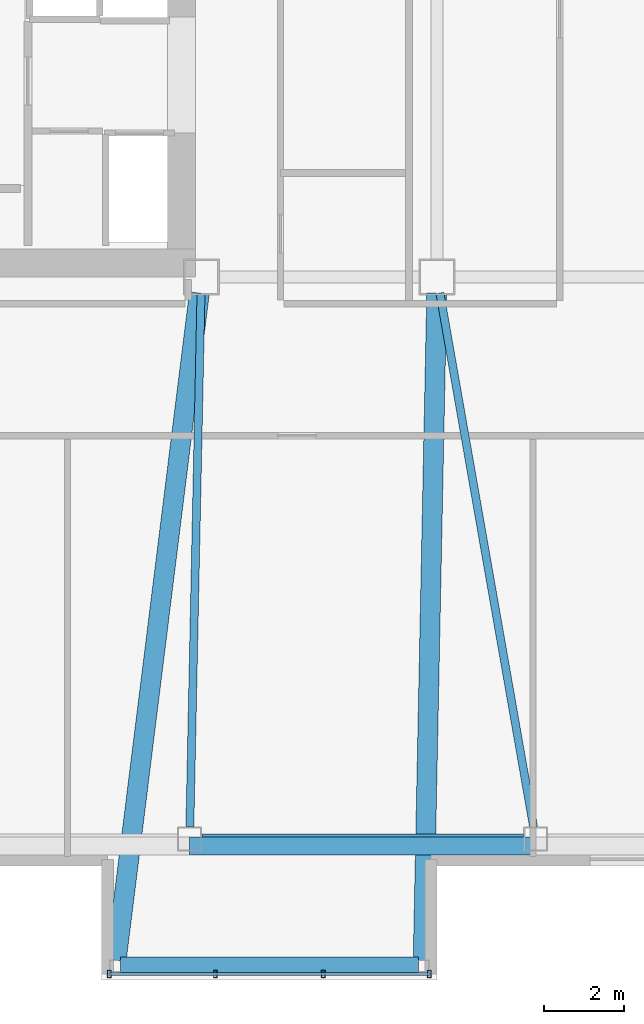
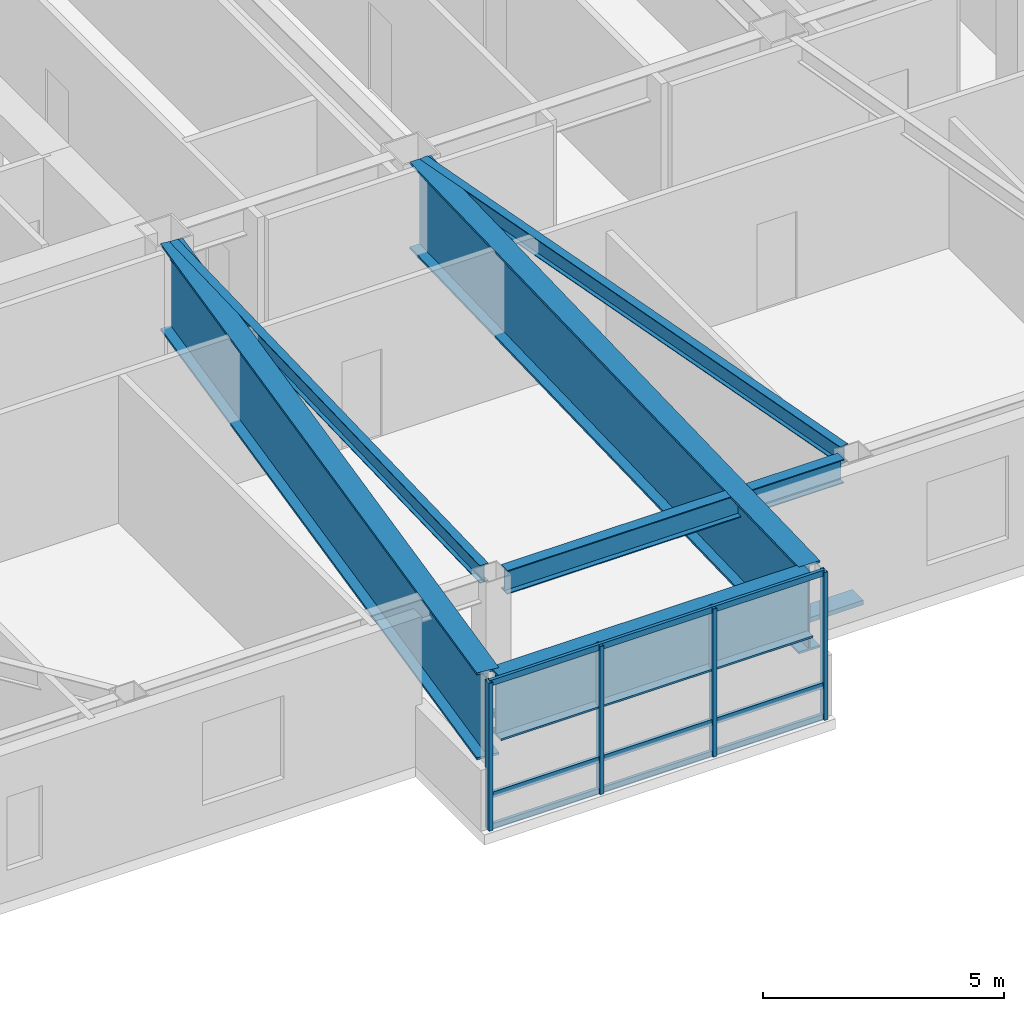
# One storey, part 3 of 19: 8 members, 6 beams, 1 element without a shape of its own.
"""IFC4 building model written with IfcOpenShell, lengths in metres."""

from ifc_helpers import new_model, si_unit, direction, frame, origin, origin_2d, place, context, subcontext, project, spatial, rectangle, hollow_rectangle, i_section, extrude, material, layer, layer_set, material_profile, profile_set, type_object, element, aggregate, save


model = new_model("IFC4")

# Units and contexts
model_context = context("Model", 3, precision=1e-05, world=origin(), true_north=direction((0.0, 1.0)))
body_context = subcontext(model_context, "Body", "Model", "MODEL_VIEW")
ifc_project = project(units=[si_unit("LENGTHUNIT", "METRE"), si_unit("AREAUNIT", "SQUARE_METRE"), si_unit("VOLUMEUNIT", "CUBIC_METRE"), si_unit("PLANEANGLEUNIT", "RADIAN"), si_unit("MASSUNIT", "GRAM", prefix="KILO")], contexts=[model_context])

# Site, building, storey
site_placement = place(None, origin())
site = spatial("IfcSite", under=ifc_project, at=site_placement, CompositionType="ELEMENT")
building_placement = place(site_placement, origin())
building = spatial("IfcBuilding", under=site, at=building_placement, Name="Tavrogorsk Clinical Tower", CompositionType="ELEMENT")
storey_placement = place(building_placement, frame((0.0, 0.0, 156.199951171875)))
storey = spatial("IfcBuildingStorey", under=building, at=storey_placement, Name="L35", CompositionType="ELEMENT", Elevation=156.199951171875)

# Member
ifc_material_1 = material(Name="Anodised aluminium alloy AW-6063", Category="aluminium")
ifc_material_profile_1 = material_profile(ifc_material_1, rectangle(XDim=0.449951171875, YDim=0.1201171875, at=origin_2d()), Name="ALU-SUNSHADE-450x120")
ifc_profile_set_1 = profile_set([ifc_material_profile_1], Name="Anodised aluminium alloy AW-6063")
member_type_1 = type_object("IfcMemberType", Name="ChicagoSunshade_450x120", PredefinedType="USERDEFINED", material=ifc_profile_set_1)
member_1_placement = place(storey_placement, frame((-10.59423828125, -20.60009765625, 0.179931640625), z_axis=(1.0, 0.0, 0.0), x_axis=(0.0, 1.0, 0.0)))
element("IfcMember", 1, at=member_1_placement, inside=storey, type_object=member_type_1, Name="L35 South Aluminium Sunshade S3", ObjectType="SUNSHADE", PredefinedType="USERDEFINED", context=body_context, shape_type="SweptSolid", body=[
    extrude(rectangle(XDim=0.449951171875, YDim=0.1201171875, at=origin_2d()), origin(), (0.0, 0.0, 1.0), 8.662841796875),
])

# Curtain wall, members
ifc_material_2 = material(Name="Anodised aluminium and triple IGU glazing", Category="aluminium")
ifc_layer = layer(ifc_material_2, 0.179931640625)
ifc_layer_set = layer_set([ifc_layer], Name="Anodised aluminium and triple IGU glazing")
curtain_wall_type = type_object("IfcCurtainWallType", Name="CW4_DayroomBox", PredefinedType="NOTDEFINED", material=ifc_layer_set)
curtain_wall_placement = place(storey_placement, origin())
curtain_wall = element("IfcCurtainWall", 2, at=curtain_wall_placement, inside=storey, type_object=curtain_wall_type, Name="L35 Curtain Wall CW-DRB-05-L35", PredefinedType="NOTDEFINED")
ifc_material_3 = material(Name="Anodised aluminium alloy AW-6060", Category="aluminium")
ifc_material_profile_2 = material_profile(ifc_material_3, hollow_rectangle(XDim=0.090087890625, YDim=0.179931640625, WallThickness=0.00634765625, at=origin_2d()), Name="RHS-180x90x6.3")
ifc_profile_set_2 = profile_set([ifc_material_profile_2], Name="Anodised aluminium alloy AW-6060")
member_type_2 = type_object("IfcMemberType", Name="CwMullion_180x90", PredefinedType="MULLION", material=ifc_profile_set_2)
member_2_placement = place(storey_placement, frame((-12.60498046875, -23.800048828125, 0.0), z_axis=(0.0, 0.0, 1.0), x_axis=(1.0, 0.0, 0.0)))
member_2 = element("IfcMember", 3, at=member_2_placement, type_object=member_type_2, Name="CW-DRB-05-L35 Mullion 1", PredefinedType="MULLION", context=body_context, shape_type="SweptSolid", body=[
    extrude(hollow_rectangle(XDim=0.090087890625, YDim=0.179931640625, WallThickness=0.00634765625, at=origin_2d()), origin(), (0.0, 0.0, 1.0), 3.739990234375),
])
member_3_placement = place(storey_placement, frame((-9.949951171875, -23.800048828125, 0.0), z_axis=(0.0, 0.0, 1.0), x_axis=(1.0, 0.0, 0.0)))
member_3 = element("IfcMember", 4, at=member_3_placement, type_object=member_type_2, Name="CW-DRB-05-L35 Mullion 2", PredefinedType="MULLION", context=body_context, shape_type="SweptSolid", body=[
    extrude(hollow_rectangle(XDim=0.090087890625, YDim=0.179931640625, WallThickness=0.00634765625, at=origin_2d()), origin(), (0.0, 0.0, 1.0), 3.739990234375),
])
member_4_placement = place(storey_placement, frame((-7.25, -23.800048828125, 0.0), z_axis=(0.0, 0.0, 1.0), x_axis=(1.0, 0.0, 0.0)))
member_4 = element("IfcMember", 5, at=member_4_placement, type_object=member_type_2, Name="CW-DRB-05-L35 Mullion 3", PredefinedType="MULLION", context=body_context, shape_type="SweptSolid", body=[
    extrude(hollow_rectangle(XDim=0.090087890625, YDim=0.179931640625, WallThickness=0.00634765625, at=origin_2d()), origin(), (0.0, 0.0, 1.0), 3.739990234375),
])
member_5_placement = place(storey_placement, frame((-4.594970703125, -23.800048828125, 0.0), z_axis=(0.0, 0.0, 1.0), x_axis=(1.0, 0.0, 0.0)))
member_5 = element("IfcMember", 6, at=member_5_placement, type_object=member_type_2, Name="CW-DRB-05-L35 Mullion 4", PredefinedType="MULLION", context=body_context, shape_type="SweptSolid", body=[
    extrude(hollow_rectangle(XDim=0.090087890625, YDim=0.179931640625, WallThickness=0.00634765625, at=origin_2d()), origin(), (0.0, 0.0, 1.0), 3.739990234375),
])
ifc_material_4 = material(Name="Anodised aluminium alloy AW-6060", Category="aluminium")
ifc_material_profile_3 = material_profile(ifc_material_4, hollow_rectangle(XDim=0.074951171875, YDim=0.14990234375, WallThickness=0.0048828125, at=origin_2d()), Name="RHS-150x75x5")
ifc_profile_set_3 = profile_set([ifc_material_profile_3], Name="Anodised aluminium alloy AW-6060")
member_type_3 = type_object("IfcMemberType", Name="CwTransom_150x75", PredefinedType="USERDEFINED", material=ifc_profile_set_3)
member_6_placement = place(storey_placement, frame((-12.60498046875, -23.800048828125, 0.050048828125), z_axis=(1.0, 0.0, 0.0), x_axis=(0.0, 1.0, 0.0)))
member_6 = element("IfcMember", 7, at=member_6_placement, type_object=member_type_3, Name="CW-DRB-05-L35 Transom 1", ObjectType="TRANSOM", PredefinedType="USERDEFINED", context=body_context, shape_type="SweptSolid", body=[
    extrude(hollow_rectangle(XDim=0.074951171875, YDim=0.14990234375, WallThickness=0.0048828125, at=origin_2d()), origin(), (0.0, 0.0, 1.0), 8.010009765625),
])
member_7_placement = place(storey_placement, frame((-12.60498046875, -23.800048828125, 0.85009765625), z_axis=(1.0, 0.0, 0.0), x_axis=(0.0, 1.0, 0.0)))
member_7 = element("IfcMember", 8, at=member_7_placement, type_object=member_type_3, Name="CW-DRB-05-L35 Transom 2", ObjectType="TRANSOM", PredefinedType="USERDEFINED", context=body_context, shape_type="SweptSolid", body=[
    extrude(hollow_rectangle(XDim=0.074951171875, YDim=0.14990234375, WallThickness=0.0048828125, at=origin_2d()), origin(), (0.0, 0.0, 1.0), 8.010009765625),
])
member_8_placement = place(storey_placement, frame((-12.60498046875, -23.800048828125, 3.68994140625), z_axis=(1.0, 0.0, 0.0), x_axis=(0.0, 1.0, 0.0)))
member_8 = element("IfcMember", 9, at=member_8_placement, type_object=member_type_3, Name="CW-DRB-05-L35 Transom 3", ObjectType="TRANSOM", PredefinedType="USERDEFINED", context=body_context, shape_type="SweptSolid", body=[
    extrude(hollow_rectangle(XDim=0.074951171875, YDim=0.14990234375, WallThickness=0.0048828125, at=origin_2d()), origin(), (0.0, 0.0, 1.0), 8.010009765625),
])
aggregate(curtain_wall, [member_2, member_3, member_4, member_5, member_6, member_7, member_8])

# Beams
ifc_material_5 = material(Name="Structural steel S355", Category="steel")
ifc_material_profile_4 = material_profile(ifc_material_5, i_section(OverallWidth=0.199951171875, OverallDepth=0.449951171875, WebThickness=0.011474609375, FlangeThickness=0.01806640625, at=origin_2d()), Name="B-450x200x11.5x18")
ifc_profile_set_4 = profile_set([ifc_material_profile_4], Name="Structural steel S355")
beam_type_1 = type_object("IfcBeamType", Name="FloorBeam_B450", PredefinedType="BEAM", material=ifc_profile_set_4)
beam_1_placement = place(storey_placement, frame((-10.30859375, -6.760009765625, 3.51513671875), z_axis=(-0.020913325994, -0.999781292481, 0.0), x_axis=(0.999781292481, -0.020913325994, 0.0)))
element("IfcBeam", 10, at=beam_1_placement, inside=storey, type_object=beam_type_1, Name="L35 Radial Floor Beam S3", PredefinedType="BEAM", context=body_context, shape_type="SweptSolid", body=[
    extrude(i_section(OverallWidth=0.199951171875, OverallDepth=0.449951171875, WebThickness=0.011474609375, FlangeThickness=0.01806640625, at=origin_2d()), origin(), (0.0, 0.0, 1.0), 13.35498046875),
])
beam_2_placement = place(storey_placement, frame((-4.3291015625, -6.75390625, 3.51513671875), z_axis=(0.172808972689, -0.984955358866, 0.0), x_axis=(0.984955358866, 0.172808972689, 0.0)))
element("IfcBeam", 11, at=beam_2_placement, inside=storey, type_object=beam_type_1, Name="L35 Radial Floor Beam S4", PredefinedType="BEAM", context=body_context, shape_type="SweptSolid", body=[
    extrude(i_section(OverallWidth=0.199951171875, OverallDepth=0.449951171875, WebThickness=0.011474609375, FlangeThickness=0.01806640625, at=origin_2d()), origin(), (0.0, 0.0, 1.0), 13.56689453125),
])
ifc_material_6 = material(Name="Structural steel S390", Category="steel")
ifc_material_profile_5 = material_profile(ifc_material_6, i_section(OverallWidth=0.260009765625, OverallDepth=0.60009765625, WebThickness=0.014892578125, FlangeThickness=0.02392578125, at=origin_2d()), Name="B-600x260x15x24")
ifc_profile_set_5 = profile_set([ifc_material_profile_5], Name="Structural steel S390")
beam_type_2 = type_object("IfcBeamType", Name="SpandrelBeam_B600", PredefinedType="SPANDREL", material=ifc_profile_set_5)
beam_3_placement = place(storey_placement, frame((-10.286376953125, -20.419921875, 3.43994140625), z_axis=(1.0, 0.0, 0.0), x_axis=(0.0, 1.0, 0.0)))
element("IfcBeam", 12, at=beam_3_placement, inside=storey, type_object=beam_type_2, Name="L35 Perimeter Spandrel S3-S4", PredefinedType="SPANDREL", context=body_context, shape_type="SweptSolid", body=[
    extrude(i_section(OverallWidth=0.260009765625, OverallDepth=0.60009765625, WebThickness=0.014892578125, FlangeThickness=0.02392578125, at=origin_2d()), origin(), (0.0, 0.0, 1.0), 8.046875),
])
ifc_material_7 = material(Name="Structural steel S440", Category="steel")
ifc_material_profile_6 = material_profile(ifc_material_7, i_section(OverallWidth=0.449951171875, OverallDepth=1.60009765625, WebThickness=0.031982421875, FlangeThickness=0.050048828125, at=origin_2d()), Name="DK-1600x450x32x50")
ifc_profile_set_6 = profile_set([ifc_material_profile_6], Name="Structural steel S440")
beam_type_3 = type_object("IfcBeamType", Name="TransferGirder_DK1600", PredefinedType="USERDEFINED", material=ifc_profile_set_6)
beam_4_placement = place(storey_placement, frame((-12.330078125, -23.60009765625, 2.93994140625), z_axis=(1.0, 0.0, 0.0), x_axis=(0.0, 1.0, 0.0)))
element("IfcBeam", 13, at=beam_4_placement, inside=storey, type_object=beam_type_3, Name="L35 Day-Room Front Edge Beam DRB-05", ObjectType="GIRDER", PredefinedType="USERDEFINED", context=body_context, shape_type="SweptSolid", body=[
    extrude(i_section(OverallWidth=0.449951171875, OverallDepth=1.60009765625, WebThickness=0.031982421875, FlangeThickness=0.050048828125, at=origin_2d()), origin(), (0.0, 0.0, 1.0), 7.4599609375),
])
ifc_material_8 = material(Name="Structural steel S440", Category="steel")
ifc_material_profile_7 = material_profile(ifc_material_8, i_section(OverallWidth=0.5, OverallDepth=2.199951171875, WebThickness=0.035888671875, FlangeThickness=0.054931640625, at=origin_2d()), Name="DK-2200x500x36x55")
ifc_profile_set_7 = profile_set([ifc_material_profile_7], Name="Structural steel S440")
beam_type_4 = type_object("IfcBeamType", Name="TransferGirder_DK2200", PredefinedType="USERDEFINED", material=ifc_profile_set_7)
beam_5_placement = place(storey_placement, frame((-10.350830078125, -6.7568359375, 2.64013671875), z_axis=(-0.123668799225, -0.992323550108, 0.0), x_axis=(0.992323550108, -0.123668799225, 0.0)))
element("IfcBeam", 14, at=beam_5_placement, inside=storey, type_object=beam_type_4, Name="L35 Day-Room Cantilever Beam DRB-05-L", ObjectType="GIRDER", PredefinedType="USERDEFINED", context=body_context, shape_type="SweptSolid", body=[
    extrude(i_section(OverallWidth=0.5, OverallDepth=2.199951171875, WebThickness=0.035888671875, FlangeThickness=0.054931640625, at=origin_2d()), origin(), (0.0, 0.0, 1.0), 16.83349609375),
])
beam_6_placement = place(storey_placement, frame((-4.408203125, -6.760009765625, 2.64013671875), z_axis=(-0.020287331506, -0.999794190911, 0.0), x_axis=(0.999794190911, -0.020287331506, 0.0)))
element("IfcBeam", 15, at=beam_6_placement, inside=storey, type_object=beam_type_4, Name="L35 Day-Room Cantilever Beam DRB-05-R", ObjectType="GIRDER", PredefinedType="USERDEFINED", context=body_context, shape_type="SweptSolid", body=[
    extrude(i_section(OverallWidth=0.5, OverallDepth=2.199951171875, WebThickness=0.035888671875, FlangeThickness=0.054931640625, at=origin_2d()), origin(), (0.0, 0.0, 1.0), 16.703369140625),
])

save(model, "model.ifc")
